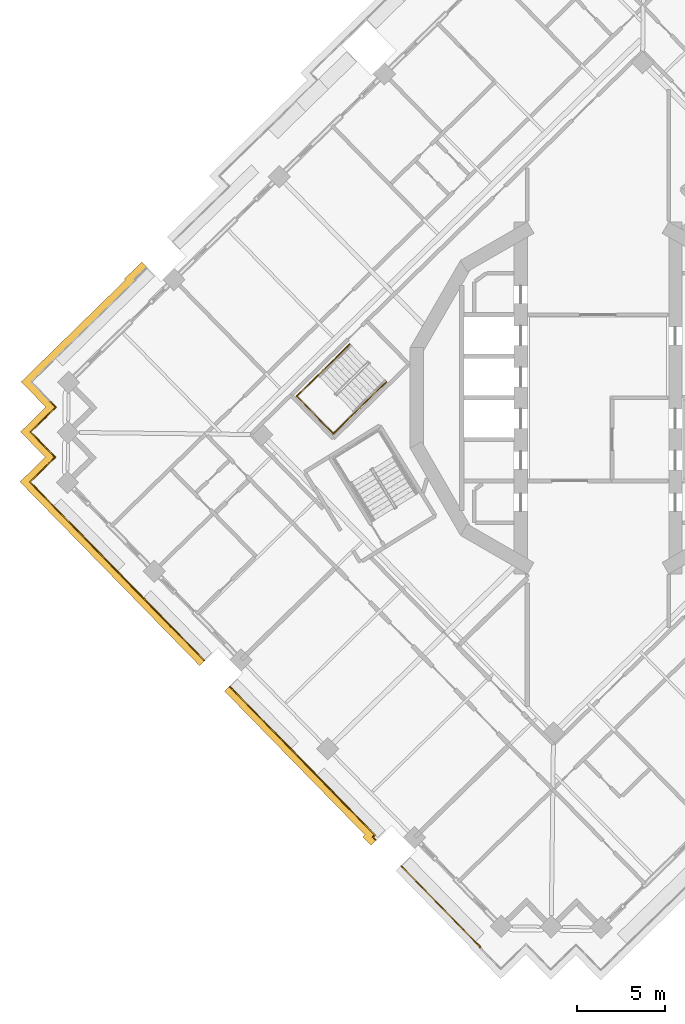
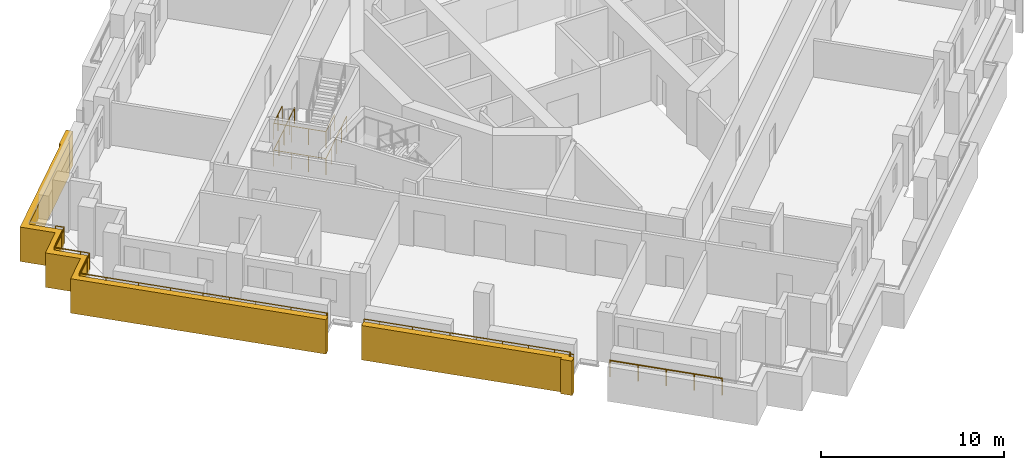
# One storey, part 12 of 17: 5 railings, 2 coverings.
"""IFC4 building model written with IfcOpenShell, lengths in metres."""

from ifc_helpers import new_model, si_unit, direction, frame, origin, origin_2d, place, context, subcontext, project, spatial, polyline, circle, outline, extrude, material, type_object, element, save


model = new_model("IFC4")

# Units and contexts
model_context = context("Model", 3, precision=1e-05, world=origin(), true_north=direction((0.0, 1.0)))
body_context = subcontext(model_context, "Body", "Model", "MODEL_VIEW")
ifc_project = project(units=[si_unit("LENGTHUNIT", "METRE"), si_unit("AREAUNIT", "SQUARE_METRE"), si_unit("VOLUMEUNIT", "CUBIC_METRE"), si_unit("PLANEANGLEUNIT", "RADIAN"), si_unit("MASSUNIT", "GRAM", prefix="KILO")], contexts=[model_context])

# Site, building, storey
site_placement = place(None, origin())
site = spatial("IfcSite", under=ifc_project, at=site_placement, CompositionType="ELEMENT")
building_placement = place(site_placement, origin())
building = spatial("IfcBuilding", under=site, at=building_placement, Name="Cantera Rosa Tower", CompositionType="ELEMENT")
storey_placement = place(building_placement, frame((0.0, 0.0, 237.800048828125)))
storey = spatial("IfcBuildingStorey", under=building, at=storey_placement, Name="L52", CompositionType="ELEMENT", Elevation=237.800048828125)

# Railings
ifc_material_1 = material(Name="Stainless steel and laminated glass", Category="steel")
railing_type_1 = type_object("IfcRailingType", Name="GUARD 1100", PredefinedType="BALUSTRADE", material=ifc_material_1)
railing_1_placement = place(storey_placement, frame((-12.568603515625, -25.001708984375, 0.0)))
element("IfcRailing", 1, at=railing_1_placement, inside=storey, type_object=railing_type_1, Name="GUARD L52-1", PredefinedType="BALUSTRADE", context=body_context, shape_type="SweptSolid", body=[
    extrude(circle(Radius=0.030029296875, at=origin_2d()), frame((0.0, 0.0, 1.070068359375), z_axis=(-0.698639338313, 0.715474021164, 0.0), x_axis=(-0.715474021164, -0.698639338313, 0.0)), (0.0, 0.0, 1.0), 0.23193359375),
    extrude(circle(Radius=0.030029296875, at=origin_2d()), frame((-0.162109375, 0.166015625, 1.070068359375), z_axis=(0.715358635053, 0.698757485294, 0.0), x_axis=(-0.698757485294, 0.715358635053, 0.0)), (0.0, 0.0, 1.0), 0.161865234375),
    extrude(circle(Radius=0.030029296875, at=origin_2d()), frame((-0.04638671875, 0.279052734375, 1.070068359375), z_axis=(0.0, 1.0, 0.0), x_axis=(-1.0, 0.0, 0.0)), (0.0, 0.0, 1.0), 0.000244140625),
    extrude(circle(Radius=0.030029296875, at=origin_2d()), frame((-0.04638671875, 0.279296875, 1.070068359375), z_axis=(-0.668964731622, 0.743294146247, 0.0), x_axis=(-0.743294146247, -0.668964731622, 0.0)), (0.0, 0.0, 1.0), 0.003173828125),
    extrude(circle(Radius=0.030029296875, at=origin_2d()), frame((-0.048583984375, 0.28173828125, 1.070068359375), z_axis=(-0.698848448339, 0.715269771663, 0.0), x_axis=(-0.715269771663, -0.698848448339, 0.0)), (0.0, 0.0, 1.0), 0.906982421875),
    extrude(circle(Radius=0.030029296875, at=origin_2d()), frame((-0.682373046875, 0.930419921875, 1.070068359375), z_axis=(-0.698817395664, 0.715300110105, 0.0), x_axis=(-0.715300110105, -0.698817395664, 0.0)), (0.0, 0.0, 1.0), 2.947509765625),
    extrude(circle(Radius=0.030029296875, at=origin_2d()), frame((-2.7421875, 3.038818359375, 1.070068359375), z_axis=(-0.698840237873, 0.715277793538, 0.0), x_axis=(-0.715277793538, -0.698840237873, 0.0)), (0.0, 0.0, 1.0), 3.000244140625),
    extrude(circle(Radius=0.030029296875, at=origin_2d()), frame((-4.8388671875, 5.184814453125, 1.070068359375), z_axis=(-0.698852890381, 0.715265431575, 0.0), x_axis=(-0.715265431575, -0.698852890381, 0.0)), (0.0, 0.0, 1.0), 2.127197265625),
    extrude(circle(Radius=0.030029296875, at=origin_2d()), frame((-6.325439453125, 6.706298828125, 1.070068359375), z_axis=(-0.69886846694, 0.715250212105, 0.0), x_axis=(-0.715250212105, -0.69886846694, 0.0)), (0.0, 0.0, 1.0), 1.892822265625),
    extrude(circle(Radius=0.030029296875, at=origin_2d()), frame((-7.648193359375, 8.06005859375, 1.070068359375), z_axis=(-0.698779602308, 0.715337030636, 0.0), x_axis=(-0.715337030636, -0.698779602308, 0.0)), (0.0, 0.0, 1.0), 0.869873046875),
    extrude(circle(Radius=0.02490234375, at=origin_2d()), origin(), (0.0, 0.0, 1.0), 1.0400390625),
    extrude(circle(Radius=0.02490234375, at=origin_2d()), frame((-0.162109375, 0.166015625, 0.0)), (0.0, 0.0, 1.0), 1.0400390625),
    extrude(circle(Radius=0.02490234375, at=origin_2d()), frame((-0.04638671875, 0.279052734375, 0.0)), (0.0, 0.0, 1.0), 1.0400390625),
    extrude(circle(Radius=0.02490234375, at=origin_2d()), frame((-0.04638671875, 0.279296875, 0.0)), (0.0, 0.0, 1.0), 1.0400390625),
    extrude(circle(Radius=0.02490234375, at=origin_2d()), frame((-0.048583984375, 0.28173828125, 0.0)), (0.0, 0.0, 1.0), 1.0400390625),
    extrude(circle(Radius=0.02490234375, at=origin_2d()), frame((-0.682373046875, 0.930419921875, 0.0)), (0.0, 0.0, 1.0), 1.0400390625),
    extrude(circle(Radius=0.02490234375, at=origin_2d()), frame((-1.71240234375, 1.984619140625, 0.0)), (0.0, 0.0, 1.0), 1.0400390625),
    extrude(circle(Radius=0.02490234375, at=origin_2d()), frame((-2.7421875, 3.038818359375, 0.0)), (0.0, 0.0, 1.0), 1.0400390625),
    extrude(circle(Radius=0.02490234375, at=origin_2d()), frame((-3.79052734375, 4.11181640625, 0.0)), (0.0, 0.0, 1.0), 1.0400390625),
    extrude(circle(Radius=0.02490234375, at=origin_2d()), frame((-4.8388671875, 5.184814453125, 0.0)), (0.0, 0.0, 1.0), 1.0400390625),
    extrude(circle(Radius=0.02490234375, at=origin_2d()), frame((-5.58203125, 5.945556640625, 0.0)), (0.0, 0.0, 1.0), 1.0400390625),
    extrude(circle(Radius=0.02490234375, at=origin_2d()), frame((-6.325439453125, 6.706298828125, 0.0)), (0.0, 0.0, 1.0), 1.0400390625),
    extrude(circle(Radius=0.02490234375, at=origin_2d()), frame((-7.648193359375, 8.06005859375, 0.0)), (0.0, 0.0, 1.0), 1.0400390625),
    extrude(circle(Radius=0.02490234375, at=origin_2d()), frame((-8.256103515625, 8.682373046875, 0.0)), (0.0, 0.0, 1.0), 1.0400390625),
])
railing_2_placement = place(storey_placement, frame((-22.26416015625, -14.845703125, 0.0)))
element("IfcRailing", 2, at=railing_2_placement, inside=storey, type_object=railing_type_1, Name="GUARD L52-3", PredefinedType="BALUSTRADE", context=body_context, shape_type="SweptSolid", body=[
    extrude(circle(Radius=0.030029296875, at=origin_2d()), frame((0.0, 0.0, 1.070068359375), z_axis=(-0.700106234421, 0.714038696798, 0.0), x_axis=(-0.714038696798, -0.700106234421, 0.0)), (0.0, 0.0, 1.0), 0.070068359375),
    extrude(circle(Radius=0.030029296875, at=origin_2d()), frame((-0.049072265625, 0.050048828125, 1.070068359375), z_axis=(-0.698829866575, 0.715287926351, 0.0), x_axis=(-0.715287926351, -0.698829866575, 0.0)), (0.0, 0.0, 1.0), 4.02001953125),
    extrude(circle(Radius=0.030029296875, at=origin_2d()), frame((-2.8583984375, 2.925537109375, 1.070068359375), z_axis=(-0.698839281014, 0.715278728407, 0.0), x_axis=(-0.715278728407, -0.698839281014, 0.0)), (0.0, 0.0, 1.0), 3.0),
    extrude(circle(Radius=0.030029296875, at=origin_2d()), frame((-4.954833984375, 5.0712890625, 1.070068359375), z_axis=(-0.698810055914, 0.715307280652, 0.0), x_axis=(-0.715307280652, -0.698810055914, 0.0)), (0.0, 0.0, 1.0), 5.52001953125),
    extrude(circle(Radius=0.030029296875, at=origin_2d()), frame((-8.812255859375, 9.019775390625, 1.070068359375), z_axis=(-0.698921594874, 0.71519829713, 0.0), x_axis=(-0.71519829713, -0.698921594874, 0.0)), (0.0, 0.0, 1.0), 1.5),
    extrude(circle(Radius=0.030029296875, at=origin_2d()), frame((-9.860595703125, 10.092529296875, 1.070068359375), z_axis=(0.715277793538, 0.698840237873, 0.0), x_axis=(-0.698840237873, 0.715277793538, 0.0)), (0.0, 0.0, 1.0), 1.5),
    extrude(circle(Radius=0.030029296875, at=origin_2d()), frame((-8.78759765625, 11.140869140625, 1.070068359375), z_axis=(0.715359149995, 0.698756958118, 0.0), x_axis=(-0.698756958118, 0.715359149995, 0.0)), (0.0, 0.0, 1.0), 0.5),
    extrude(circle(Radius=0.030029296875, at=origin_2d()), frame((-8.429931640625, 11.490234375, 1.070068359375), z_axis=(-0.699006712162, 0.715115107065, 0.0), x_axis=(-0.715115107065, -0.699006712162, 0.0)), (0.0, 0.0, 1.0), 0.500244140625),
    extrude(circle(Radius=0.030029296875, at=origin_2d()), frame((-8.779541015625, 11.847900390625, 1.070068359375), z_axis=(-0.698756958118, 0.715359149995, 0.0), x_axis=(-0.715359149995, -0.698756958118, 0.0)), (0.0, 0.0, 1.0), 1.5),
    extrude(circle(Radius=0.030029296875, at=origin_2d()), frame((-9.82763671875, 12.9208984375, 1.070068359375), z_axis=(0.71519829713, 0.698921594874, 0.0), x_axis=(-0.698921594874, 0.71519829713, 0.0)), (0.0, 0.0, 1.0), 1.5),
    extrude(circle(Radius=0.030029296875, at=origin_2d()), frame((-8.7548828125, 13.96923828125, 1.070068359375), z_axis=(0.715359149995, 0.698756958118, 0.0), x_axis=(-0.698756958118, 0.715359149995, 0.0)), (0.0, 0.0, 1.0), 0.5),
    extrude(circle(Radius=0.030029296875, at=origin_2d()), frame((-8.397216796875, 14.318603515625, 1.070068359375), z_axis=(-0.698756958118, 0.715359149995, 0.0), x_axis=(-0.715359149995, -0.698756958118, 0.0)), (0.0, 0.0, 1.0), 0.5),
    extrude(circle(Radius=0.02490234375, at=origin_2d()), origin(), (0.0, 0.0, 1.0), 1.0400390625),
    extrude(circle(Radius=0.02490234375, at=origin_2d()), frame((-0.049072265625, 0.050048828125, 0.0)), (0.0, 0.0, 1.0), 1.0400390625),
    extrude(circle(Radius=0.02490234375, at=origin_2d()), frame((-1.45361328125, 1.48779296875, 0.0)), (0.0, 0.0, 1.0), 1.0400390625),
    extrude(circle(Radius=0.02490234375, at=origin_2d()), frame((-2.8583984375, 2.925537109375, 0.0)), (0.0, 0.0, 1.0), 1.0400390625),
    extrude(circle(Radius=0.02490234375, at=origin_2d()), frame((-3.90673828125, 3.99853515625, 0.0)), (0.0, 0.0, 1.0), 1.0400390625),
    extrude(circle(Radius=0.02490234375, at=origin_2d()), frame((-4.954833984375, 5.0712890625, 0.0)), (0.0, 0.0, 1.0), 1.0400390625),
    extrude(circle(Radius=0.02490234375, at=origin_2d()), frame((-6.24072265625, 6.387451171875, 0.0)), (0.0, 0.0, 1.0), 1.0400390625),
    extrude(circle(Radius=0.02490234375, at=origin_2d()), frame((-7.5263671875, 7.70361328125, 0.0)), (0.0, 0.0, 1.0), 1.0400390625),
    extrude(circle(Radius=0.02490234375, at=origin_2d()), frame((-8.812255859375, 9.019775390625, 0.0)), (0.0, 0.0, 1.0), 1.0400390625),
    extrude(circle(Radius=0.02490234375, at=origin_2d()), frame((-9.860595703125, 10.092529296875, 0.0)), (0.0, 0.0, 1.0), 1.0400390625),
    extrude(circle(Radius=0.02490234375, at=origin_2d()), frame((-8.78759765625, 11.140869140625, 0.0)), (0.0, 0.0, 1.0), 1.0400390625),
    extrude(circle(Radius=0.02490234375, at=origin_2d()), frame((-8.429931640625, 11.490234375, 0.0)), (0.0, 0.0, 1.0), 1.0400390625),
    extrude(circle(Radius=0.02490234375, at=origin_2d()), frame((-8.779541015625, 11.847900390625, 0.0)), (0.0, 0.0, 1.0), 1.0400390625),
    extrude(circle(Radius=0.02490234375, at=origin_2d()), frame((-9.82763671875, 12.9208984375, 0.0)), (0.0, 0.0, 1.0), 1.0400390625),
    extrude(circle(Radius=0.02490234375, at=origin_2d()), frame((-8.7548828125, 13.96923828125, 0.0)), (0.0, 0.0, 1.0), 1.0400390625),
    extrude(circle(Radius=0.02490234375, at=origin_2d()), frame((-8.397216796875, 14.318603515625, 0.0)), (0.0, 0.0, 1.0), 1.0400390625),
    extrude(circle(Radius=0.02490234375, at=origin_2d()), frame((-8.74658203125, 14.67626953125, 0.0)), (0.0, 0.0, 1.0), 1.0400390625),
])
railing_3_placement = place(storey_placement, frame((-6.690673828125, -31.072265625, 0.0)))
element("IfcRailing", 3, at=railing_3_placement, inside=storey, type_object=railing_type_1, Name="GUARD L52-6", PredefinedType="BALUSTRADE", context=body_context, shape_type="SweptSolid", body=[
    extrude(circle(Radius=0.030029296875, at=origin_2d()), frame((0.0, 0.0, 1.070068359375), z_axis=(0.716639490729, 0.697443790085, 0.0), x_axis=(-0.697443790085, 0.716639490729, 0.0)), (0.0, 0.0, 1.0), 0.0380859375),
    extrude(circle(Radius=0.030029296875, at=origin_2d()), frame((0.02734375, 0.026611328125, 1.070068359375), z_axis=(-0.69884455656, 0.715273574072, 0.0), x_axis=(-0.715273574072, -0.69884455656, 0.0)), (0.0, 0.0, 1.0), 6.389892578125),
    extrude(circle(Radius=0.02490234375, at=origin_2d()), origin(), (0.0, 0.0, 1.0), 1.0400390625),
    extrude(circle(Radius=0.02490234375, at=origin_2d()), frame((0.02734375, 0.026611328125, 0.0)), (0.0, 0.0, 1.0), 1.0400390625),
    extrude(circle(Radius=0.02490234375, at=origin_2d()), frame((-1.089111328125, 1.169189453125, 0.0)), (0.0, 0.0, 1.0), 1.0400390625),
    extrude(circle(Radius=0.02490234375, at=origin_2d()), frame((-2.20556640625, 2.31201171875, 0.0)), (0.0, 0.0, 1.0), 1.0400390625),
    extrude(circle(Radius=0.02490234375, at=origin_2d()), frame((-3.32177734375, 3.45458984375, 0.0)), (0.0, 0.0, 1.0), 1.0400390625),
    extrude(circle(Radius=0.02490234375, at=origin_2d()), frame((-4.438232421875, 4.59716796875, 0.0)), (0.0, 0.0, 1.0), 1.0400390625),
])
ifc_material_2 = material(Name="Steel S355J2 (EN 10025-2)", Category="steel")
railing_type_2 = type_object("IfcRailingType", Name="STAIR GUARD 1100", PredefinedType="GUARDRAIL", material=ifc_material_2)
railing_4_placement = place(storey_placement, frame((-14.044921875, 3.0322265625, 0.0)))
element("IfcRailing", 4, at=railing_4_placement, inside=storey, type_object=railing_type_2, Name="L52 ST-43 stair guard 4", PredefinedType="GUARDRAIL", context=body_context, shape_type="SweptSolid", body=[
    extrude(circle(Radius=0.02392578125, at=origin_2d()), frame((0.0, 0.0, 1.076171875), z_axis=(-0.715259213566, -0.698859254364, 0.0), x_axis=(0.698859254364, -0.715259213566, 0.0)), (0.0, 0.0, 1.0), 4.197998046875),
    extrude(circle(Radius=0.02392578125, at=origin_2d()), frame((-3.002685546875, -2.933837890625, 1.076171875), z_axis=(0.698838333505, -0.715279654138, 0.0), x_axis=(0.715279654138, 0.698838333505, 0.0)), (0.0, 0.0, 1.0), 2.9697265625),
    extrude(circle(Radius=0.02392578125, at=origin_2d()), frame((-0.92724609375, -5.05810546875, 1.076171875), z_axis=(0.715288284249, 0.698829500247, 0.0), x_axis=(-0.698829500247, 0.715288284249, 0.0)), (0.0, 0.0, 1.0), 4.19775390625),
    extrude(circle(Radius=0.02099609375, at=origin_2d()), origin(), (0.0, 0.0, 1.0), 1.052001953125),
    extrude(circle(Radius=0.02099609375, at=origin_2d()), frame((-0.750732421875, -0.7333984375, 0.0)), (0.0, 0.0, 1.0), 1.052001953125),
    extrude(circle(Radius=0.02099609375, at=origin_2d()), frame((-1.50146484375, -1.466796875, 0.0)), (0.0, 0.0, 1.0), 1.052001953125),
    extrude(circle(Radius=0.02099609375, at=origin_2d()), frame((-2.251953125, -2.200439453125, 0.0)), (0.0, 0.0, 1.0), 1.052001953125),
    extrude(circle(Radius=0.02099609375, at=origin_2d()), frame((-3.002685546875, -2.933837890625, 0.0)), (0.0, 0.0, 1.0), 1.052001953125),
    extrude(circle(Radius=0.02099609375, at=origin_2d()), frame((-2.310791015625, -3.641845703125, 0.0)), (0.0, 0.0, 1.0), 1.052001953125),
    extrude(circle(Radius=0.02099609375, at=origin_2d()), frame((-1.619140625, -4.35009765625, 0.0)), (0.0, 0.0, 1.0), 1.052001953125),
    extrude(circle(Radius=0.02099609375, at=origin_2d()), frame((-0.92724609375, -5.05810546875, 0.0)), (0.0, 0.0, 1.0), 1.052001953125),
    extrude(circle(Radius=0.02099609375, at=origin_2d()), frame((-0.176513671875, -4.32470703125, 0.0)), (0.0, 0.0, 1.0), 1.052001953125),
    extrude(circle(Radius=0.02099609375, at=origin_2d()), frame((0.57421875, -3.59130859375, 0.0)), (0.0, 0.0, 1.0), 1.052001953125),
    extrude(circle(Radius=0.02099609375, at=origin_2d()), frame((1.32470703125, -2.85791015625, 0.0)), (0.0, 0.0, 1.0), 1.052001953125),
    extrude(circle(Radius=0.02099609375, at=origin_2d()), frame((2.075439453125, -2.12451171875, 0.0)), (0.0, 0.0, 1.0), 1.052001953125),
])
railing_5_placement = place(storey_placement, frame((-15.830322265625, 1.287841796875, 1.800048828125)))
element("IfcRailing", 5, at=railing_5_placement, inside=storey, type_object=railing_type_2, Name="L52 ST-43 stair guard 5", PredefinedType="GUARDRAIL", context=body_context, shape_type="SweptSolid", body=[
    extrude(circle(Radius=0.02392578125, at=origin_2d()), frame((0.0, 0.0, 1.076171875), z_axis=(-0.715236090757, -0.698882919007, 0.0), x_axis=(0.698882919007, -0.715236090757, 0.0)), (0.0, 0.0, 1.0), 1.701904296875),
    extrude(circle(Radius=0.02392578125, at=origin_2d()), frame((-1.21728515625, -1.189453125, 1.076171875), z_axis=(0.698838333505, -0.715279654138, 0.0), x_axis=(0.715279654138, 0.698838333505, 0.0)), (0.0, 0.0, 1.0), 2.9697265625),
    extrude(circle(Radius=0.02392578125, at=origin_2d()), frame((0.858154296875, -3.313720703125, 1.076171875), z_axis=(0.715236090757, 0.698882919007, 0.0), x_axis=(-0.698882919007, 0.715236090757, 0.0)), (0.0, 0.0, 1.0), 1.701904296875),
    extrude(circle(Radius=0.02099609375, at=origin_2d()), origin(), (0.0, 0.0, 1.0), 1.052001953125),
    extrude(circle(Radius=0.02099609375, at=origin_2d()), frame((-0.608642578125, -0.5947265625, 0.0)), (0.0, 0.0, 1.0), 1.052001953125),
    extrude(circle(Radius=0.02099609375, at=origin_2d()), frame((-1.21728515625, -1.189453125, 0.0)), (0.0, 0.0, 1.0), 1.052001953125),
    extrude(circle(Radius=0.02099609375, at=origin_2d()), frame((-0.525390625, -1.8974609375, 0.0)), (0.0, 0.0, 1.0), 1.052001953125),
    extrude(circle(Radius=0.02099609375, at=origin_2d()), frame((0.166259765625, -2.605712890625, 0.0)), (0.0, 0.0, 1.0), 1.052001953125),
    extrude(circle(Radius=0.02099609375, at=origin_2d()), frame((0.858154296875, -3.313720703125, 0.0)), (0.0, 0.0, 1.0), 1.052001953125),
    extrude(circle(Radius=0.02099609375, at=origin_2d()), frame((1.466796875, -2.718994140625, 0.0)), (0.0, 0.0, 1.0), 1.052001953125),
    extrude(circle(Radius=0.02099609375, at=origin_2d()), frame((2.075439453125, -2.124267578125, 0.0)), (0.0, 0.0, 1.0), 1.052001953125),
])

# Coverings
ifc_material_3 = material(Name="Cantera stone", Category="masonry")
covering_type = type_object("IfcCoveringType", Name="TRAY FASCIA 400", PredefinedType="CLADDING", material=ifc_material_3)
covering_1_placement = place(storey_placement, frame((0.0, 0.0, -1.400146484375)))
element("IfcCovering", 6, at=covering_1_placement, inside=storey, type_object=covering_type, Name="TRAY FASCIA L52-01", PredefinedType="CLADDING", context=body_context, shape_type="SweptSolid", body=[
    extrude(outline(polyline([(-25.806640625, 7.68310546875), (-25.527099609375, 7.39697265625), (-26.22119140625, 6.718994140625), (-26.1650390625, 6.66162109375), (-30.986083984375, 1.95166015625), (-32.058837890625, 0.9033203125), (-31.0107421875, -0.16943359375), (-30.661376953125, -0.527099609375), (-31.01904296875, -0.87646484375), (-32.091796875, -1.9248046875), (-31.043701171875, -2.997802734375), (-30.694091796875, -3.35546875), (-31.0517578125, -3.704833984375), (-32.124755859375, -4.753173828125), (-31.076416015625, -5.825927734375), (-27.218994140625, -9.7744140625), (-25.12255859375, -11.920166015625), (-22.313232421875, -14.795654296875), (-22.250244140625, -14.860107421875), (-22.536376953125, -15.1396484375), (-22.599365234375, -15.0751953125), (-25.40869140625, -12.19970703125), (-27.505126953125, -10.053955078125), (-31.362548828125, -6.10546875), (-32.6904296875, -4.74658203125), (-31.331298828125, -3.418701171875), (-31.259765625, -3.348876953125), (-31.329833984375, -3.27734375), (-32.657470703125, -1.918212890625), (-31.298583984375, -0.590576171875), (-31.22705078125, -0.5205078125), (-32.62451171875, 0.909912109375), (-31.265625, 2.23779296875), (-26.730712890625, 6.668212890625), (-26.786865234375, 6.7255859375), (-25.806640625, 7.68310546875)])), origin(), (0.0, 0.0, 1.0), 2.300048828125),
])
covering_2_placement = place(storey_placement, frame((0.0, 0.0, -1.400146484375)))
element("IfcCovering", 7, at=covering_2_placement, inside=storey, type_object=covering_type, Name="TRAY FASCIA L52-02", PredefinedType="CLADDING", context=body_context, shape_type="SweptSolid", body=[
    extrude(outline(polyline([(-13.29638671875, -24.8291015625), (-13.180419921875, -24.7158203125), (-15.596923828125, -22.242431640625), (-17.693603515625, -20.096435546875), (-20.502685546875, -17.22119140625), (-21.124755859375, -16.58447265625), (-20.838623046875, -16.304931640625), (-20.216796875, -16.941650390625), (-17.407470703125, -19.81689453125), (-15.310791015625, -21.962890625), (-12.61474609375, -24.722412109375), (-12.730712890625, -24.835693359375), (-12.5546875, -25.015869140625), (-12.840576171875, -25.29541015625), (-13.29638671875, -24.8291015625)])), origin(), (0.0, 0.0, 1.0), 2.300048828125),
])

save(model, "model.ifc")
